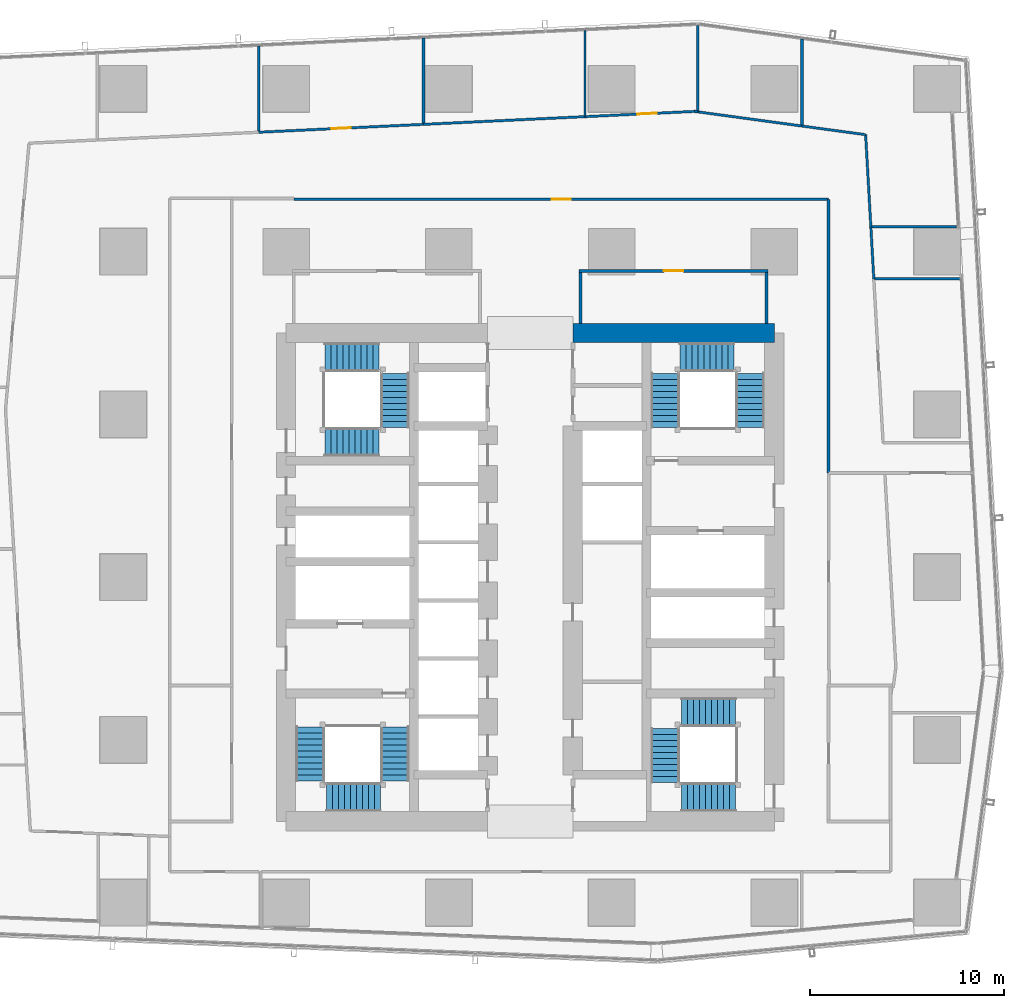
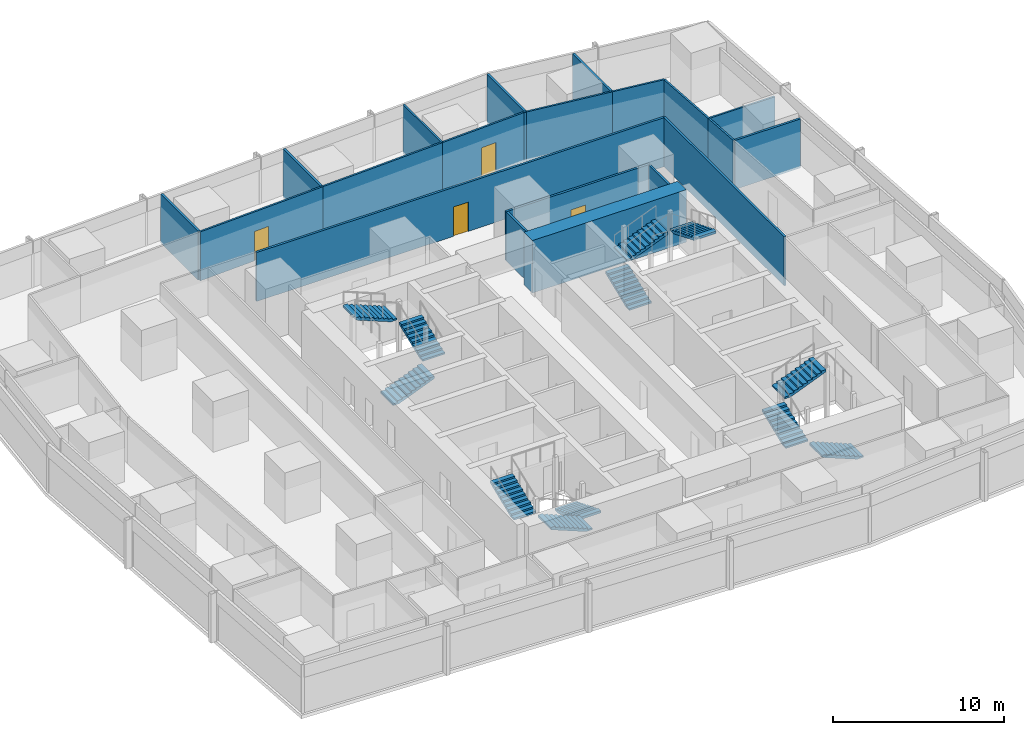
# One storey, part 27 of 37: 21 walls, 12 stair flights, 4 doors, 4 openings, 4 elements without a shape of their own.
"""IFC4 building model written with IfcOpenShell, lengths in metres."""

from ifc_helpers import new_model, si_unit, direction, frame, frame_2d, origin, place, context, subcontext, project, spatial, polyline, rectangle, outline, extrude, material, layer, layer_set, type_object, element, fill, aggregate, save


model = new_model("IFC4")

# Units and contexts
model_context = context("Model", 3, precision=1e-05, world=origin(), true_north=direction((0.0, 1.0)))
body_context = subcontext(model_context, "Body", "Model", "MODEL_VIEW")
ifc_project = project(units=[si_unit("LENGTHUNIT", "METRE"), si_unit("AREAUNIT", "SQUARE_METRE"), si_unit("VOLUMEUNIT", "CUBIC_METRE"), si_unit("PLANEANGLEUNIT", "RADIAN"), si_unit("MASSUNIT", "GRAM", prefix="KILO")], contexts=[model_context])

# Site, building, storey
site_placement = place(None, origin())
site = spatial("IfcSite", under=ifc_project, at=site_placement, CompositionType="ELEMENT")
building_placement = place(site_placement, origin())
building = spatial("IfcBuilding", under=site, at=building_placement, Name="Rekha Terrace Tower", CompositionType="ELEMENT")
storey_placement = place(building_placement, frame((0.0, 0.0, 232.699951171875)))
storey = spatial("IfcBuildingStorey", under=building, at=storey_placement, Name="L59", CompositionType="ELEMENT", Elevation=232.699951171875)

# Wall
ifc_material_1 = material(Name="Concrete M60", Category="concrete")
ifc_layer_1 = layer(ifc_material_1, 1.0)
ifc_layer_set_1 = layer_set([ifc_layer_1], Name="Concrete M60")
wall_type_1 = type_object("IfcWallType", Name="SW3 1000 core outer shear wall", PredefinedType="SHEAR", material=ifc_layer_set_1)
wall_1_placement = place(storey_placement, frame((40.0, 46.199951171875, 0.0), z_axis=(0.0, 0.0, 1.0), x_axis=(1.0, 0.0, 0.0)))
element("IfcWall", 1, at=wall_1_placement, inside=storey, type_object=wall_type_1, Name="Core wall N2 L59", PredefinedType="SHEAR", context=body_context, shape_type="SweptSolid", body=[
    extrude(rectangle(XDim=10.39990234375, YDim=1.0, at=frame_2d((5.199951171875, 0.0))), origin(), (0.0, 0.0, 1.0), 3.75),
])

# Wall, opening, door
ifc_material_2 = material(Name="Concrete block masonry, 1 hour", Category="masonry")
ifc_layer_2 = layer(ifc_material_2, 0.14990234375)
ifc_layer_set_2 = layer_set([ifc_layer_2], Name="Concrete block masonry, 1 hour")
wall_type_2 = type_object("IfcWallType", Name="WP2 150 tenancy partition", PredefinedType="PARTITIONING", material=ifc_layer_set_2)
wall_2_placement = place(storey_placement, frame((40.324951171875, 49.39990234375, 0.0), z_axis=(0.0, 0.0, 1.0), x_axis=(1.0, 0.0, 0.0)))
wall_2 = element("IfcWall", 2, at=wall_2_placement, inside=storey, type_object=wall_type_2, Name="Women's WC wall L59", PredefinedType="PARTITIONING", context=body_context, shape_type="SweptSolid", body=[
    extrude(rectangle(XDim=9.75, YDim=0.14990234375, at=frame_2d((4.875, 0.0))), origin(), (0.0, 0.0, 1.0), 3.5),
])
opening_1_placement = place(wall_2_placement, frame((4.375, 0.0, 0.0)))
opening_1 = element("IfcOpeningElement", 3, at=opening_1_placement, cuts=wall_2, Name="Opening D3", PredefinedType="OPENING", context=body_context, shape_type="SweptSolid", body=[
    extrude(rectangle(XDim=1.0, YDim=2.10009765625, at=frame_2d((0.5, 1.050048828125))), frame((0.0, 0.0849609375, 0.0), z_axis=(0.0, -1.0, 0.0), x_axis=(1.0, 0.0, 0.0)), (0.0, 0.0, 1.0), 0.169921875),
])
ifc_material_3 = material(Name="Laminated timber fire door", Category="wood")
door_type_1 = type_object("IfcDoorType", Name="D3 1000x2100 WC door", OperationType="SINGLE_SWING_LEFT", PredefinedType="DOOR", material=ifc_material_3)
door_1_placement = place(opening_1_placement, origin())
door_1 = element("IfcDoor", 4, at=door_1_placement, inside=storey, type_object=door_type_1, Name="Door women's wc L59", OperationType="SINGLE_SWING_LEFT", OverallHeight=2.10009765625, OverallWidth=1.0, PredefinedType="DOOR", context=body_context, shape_type="SweptSolid", body=[
    extrude(rectangle(XDim=1.0, YDim=2.10009765625, at=frame_2d((0.5, 1.050048828125))), frame((0.0, 0.02490234375, 0.0), z_axis=(0.0, -1.0, 0.0), x_axis=(1.0, 0.0, 0.0)), (0.0, 0.0, 1.0), 0.050048828125),
])
fill(opening_1, door_1)

# Walls
for number, where, z_axis, x_axis, name in (
    (5, (40.39990234375, 46.699951171875, 0.0), (0.0, 0.0, 1.0), (0.0, 1.0, 0.0), "Women's WC wall L59"),
    (6, (50.0, 46.699951171875, 0.0), (0.0, 0.0, 1.0), (0.0, 1.0, 0.0), "Women's WC wall L59"),
):
    element("IfcWall", number, at=place(storey_placement, frame(where, z_axis=z_axis, x_axis=x_axis)), inside=storey, type_object=wall_type_2, Name=name, PredefinedType="PARTITIONING", context=body_context, shape_type="SweptSolid", body=[
        extrude(rectangle(XDim=2.625, YDim=0.14990234375, at=frame_2d((1.3125, 0.0))), origin(), (0.0, 0.0, 1.0), 3.5),
    ])
for number, where, z_axis, x_axis, name in (
    (7, (23.79296875, 56.6220703125, 0.0), (0.0, 0.0, 1.0), (0.0, 1.0, 0.0), "Partition L59-O1"),
    (8, (32.300048828125, 57.028076171875, 0.0), (0.0, 0.0, 1.0), (0.0, 1.0, 0.0), "Partition L59-O1"),
):
    element("IfcWall", number, at=place(storey_placement, frame(where, z_axis=z_axis, x_axis=x_axis)), inside=storey, type_object=wall_type_2, Name=name, PredefinedType="PARTITIONING", context=body_context, shape_type="SweptSolid", body=[
        extrude(rectangle(XDim=4.392822265625, YDim=0.14990234375, at=frame_2d((2.1962890625, 0.0))), origin(), (0.0, 0.0, 1.0), 3.5),
    ])
wall_3_placement = place(storey_placement, frame((46.281005859375, 57.634033203125, 0.0), z_axis=(0.0, 0.0, 1.0), x_axis=(0.991045565988, -0.133524103202, 0.0)))
element("IfcWall", 9, at=wall_3_placement, inside=storey, type_object=wall_type_2, Name="Partition L59-O1", PredefinedType="PARTITIONING", context=body_context, shape_type="SweptSolid", body=[
    extrude(rectangle(XDim=0.16455078125, YDim=0.14990234375, at=frame_2d((0.082275390625, 0.0))), origin(), (0.0, 0.0, 1.0), 3.5),
])
wall_4_placement = place(storey_placement, frame((46.444091796875, 57.612060546875, 0.0), z_axis=(0.0, 0.0, 1.0), x_axis=(0.0, 1.0, 0.0)))
element("IfcWall", 10, at=wall_4_placement, inside=storey, type_object=wall_type_2, Name="Partition L59-O1", PredefinedType="PARTITIONING", context=body_context, shape_type="SweptSolid", body=[
    extrude(rectangle(XDim=4.454833984375, YDim=0.14990234375, at=frame_2d((2.2275390625, 0.0))), origin(), (0.0, 0.0, 1.0), 3.5),
])
wall_5_placement = place(storey_placement, frame((51.827880859375, 56.94189453125, 0.0), z_axis=(0.0, 0.0, 1.0), x_axis=(0.0, 1.0, 0.0)))
element("IfcWall", 11, at=wall_5_placement, inside=storey, type_object=wall_type_2, Name="Partition L59-O1", PredefinedType="PARTITIONING", context=body_context, shape_type="SweptSolid", body=[
    extrude(rectangle(XDim=4.42919921875, YDim=0.14990234375, at=frame_2d((2.214599609375, 0.0))), origin(), (0.0, 0.0, 1.0), 3.5),
])
wall_6_placement = place(storey_placement, frame((55.56591796875, 48.998046875, 0.0), z_axis=(0.0, 0.0, 1.0), x_axis=(1.0, 0.0, 0.0)))
element("IfcWall", 12, at=wall_6_placement, inside=storey, type_object=wall_type_2, Name="Partition L59-O1", PredefinedType="PARTITIONING", context=body_context, shape_type="SweptSolid", body=[
    extrude(rectangle(XDim=4.422119140625, YDim=0.14990234375, at=frame_2d((2.2109375, 0.0))), origin(), (0.0, 0.0, 1.0), 3.5),
])
wall_7_placement = place(storey_placement, frame((53.199951171875, 38.98095703125, 0.0), z_axis=(0.0, 0.0, 1.0), x_axis=(0.0, 1.0, 0.0)))
element("IfcWall", 13, at=wall_7_placement, inside=storey, type_object=wall_type_2, Name="Partition L59-O1", PredefinedType="PARTITIONING", context=body_context, shape_type="SweptSolid", body=[
    extrude(rectangle(XDim=14.119140625, YDim=0.14990234375, at=frame_2d((7.0595703125, 0.0))), origin(), (0.0, 0.0, 1.0), 3.5),
])

# Wall, opening, door
wall_8_placement = place(storey_placement, frame((53.199951171875, 53.10009765625, 0.0), z_axis=(0.0, 0.0, 1.0), x_axis=(-1.0, 0.0, 0.0)))
wall_8 = element("IfcWall", 14, at=wall_8_placement, inside=storey, type_object=wall_type_2, Name="Partition L59-O1", PredefinedType="PARTITIONING", context=body_context, shape_type="SweptSolid", body=[
    extrude(rectangle(XDim=27.599853515625, YDim=0.14990234375, at=frame_2d((13.7998046875, 0.0))), origin(), (0.0, 0.0, 1.0), 3.5),
])
opening_2_placement = place(wall_8_placement, frame((13.300048828125, 0.0, 0.0)))
opening_2 = element("IfcOpeningElement", 15, at=opening_2_placement, cuts=wall_8, Name="Opening D9", PredefinedType="OPENING", context=body_context, shape_type="SweptSolid", body=[
    extrude(rectangle(XDim=1.0, YDim=2.10009765625, at=frame_2d((0.5, 1.050048828125))), frame((0.0, 0.0849609375, 0.0), z_axis=(0.0, -1.0, 0.0), x_axis=(1.0, 0.0, 0.0)), (0.0, 0.0, 1.0), 0.169921875),
])
ifc_material_4 = material(Name="Timber fire door", Category="wood")
door_type_2 = type_object("IfcDoorType", Name="D9 1000x2100 office door", OperationType="SINGLE_SWING_LEFT", PredefinedType="DOOR", material=ifc_material_4)
door_2_placement = place(opening_2_placement, origin())
door_2 = element("IfcDoor", 16, at=door_2_placement, inside=storey, type_object=door_type_2, Name="Door open-plan office L59", OperationType="SINGLE_SWING_LEFT", OverallHeight=2.10009765625, OverallWidth=1.0, PredefinedType="DOOR", context=body_context, shape_type="SweptSolid", body=[
    extrude(rectangle(XDim=1.0, YDim=2.10009765625, at=frame_2d((0.5, 1.050048828125))), frame((0.0, 0.02490234375, 0.0), z_axis=(0.0, -1.0, 0.0), x_axis=(1.0, 0.0, 0.0)), (0.0, 0.0, 1.0), 0.050048828125),
])
fill(opening_2, door_2)

# Walls
ifc_material_5 = material(Name="Two layers of fire-rated gypsum board each side on steel studs, acoustic quilt, 1 hour", Category="steel")
ifc_layer_3 = layer(ifc_material_5, 0.125)
ifc_layer_set_3 = layer_set([ifc_layer_3], Name="Two layers of fire-rated gypsum board each side on steel studs, acoustic quilt, 1 hour")
wall_type_3 = type_object("IfcWallType", Name="WP3 125 office partition", PredefinedType="PARTITIONING", material=ifc_layer_set_3)
wall_9_placement = place(storey_placement, frame((55.44091796875, 51.693115234375, 0.0), z_axis=(0.0, 0.0, 1.0), x_axis=(1.0, 0.0, 0.0)))
element("IfcWall", 17, at=wall_9_placement, inside=storey, type_object=wall_type_3, Name="Partition L59-05", PredefinedType="PARTITIONING", context=body_context, shape_type="SweptSolid", body=[
    extrude(rectangle(XDim=4.364990234375, YDim=0.125, at=frame_2d((2.1826171875, 0.0))), origin(), (0.0, 0.0, 1.0), 3.5),
])
wall_10_placement = place(storey_placement, frame((55.531005859375, 48.99609375, 0.0), z_axis=(0.0, 0.0, 1.0), x_axis=(-0.056702825143, 0.998391100532, 0.0)))
element("IfcWall", 18, at=wall_10_placement, inside=storey, type_object=wall_type_3, Name="Partition L59-05", PredefinedType="PARTITIONING", context=body_context, shape_type="SweptSolid", body=[
    extrude(rectangle(XDim=2.665283203125, YDim=0.125, at=frame_2d((1.33251953125, 0.0))), origin(), (0.0, 0.0, 1.0), 3.5),
])

# Wall, opening, door
wall_11_placement = place(storey_placement, frame((46.281005859375, 57.634033203125, 0.0), z_axis=(0.0, 0.0, 1.0), x_axis=(-0.998861197712, -0.04771066658, 0.0)))
wall_11 = element("IfcWall", 19, at=wall_11_placement, inside=storey, type_object=wall_type_3, Name="Partition L59-06", PredefinedType="PARTITIONING", context=body_context, shape_type="SweptSolid", body=[
    extrude(rectangle(XDim=5.659423828125, YDim=0.125, at=frame_2d((2.82958984375, 0.0))), origin(), (0.0, 0.0, 1.0), 3.5),
])
opening_3_placement = place(wall_11_placement, frame((1.947998046875, 0.0, 0.0)))
opening_3 = element("IfcOpeningElement", 20, at=opening_3_placement, cuts=wall_11, Name="Opening D9", PredefinedType="OPENING", context=body_context, shape_type="SweptSolid", body=[
    extrude(rectangle(XDim=1.0, YDim=2.10009765625, at=frame_2d((0.5, 1.050048828125))), frame((0.0, 0.072509765625, 0.0), z_axis=(0.0, -1.0, 0.0), x_axis=(1.0, 0.0, 0.0)), (0.0, 0.0, 1.0), 0.14501953125),
])
door_3_placement = place(opening_3_placement, origin())
door_3 = element("IfcDoor", 21, at=door_3_placement, inside=storey, type_object=door_type_2, Name="Door office L59", OperationType="SINGLE_SWING_LEFT", OverallHeight=2.10009765625, OverallWidth=1.0, PredefinedType="DOOR", context=body_context, shape_type="SweptSolid", body=[
    extrude(rectangle(XDim=1.0, YDim=2.10009765625, at=frame_2d((0.5, 1.050048828125))), frame((0.0, 0.02490234375, 0.0), z_axis=(0.0, -1.0, 0.0), x_axis=(1.0, 0.0, 0.0)), (0.0, 0.0, 1.0), 0.050048828125),
])
fill(opening_3, door_3)

# Walls
wall_12_placement = place(storey_placement, frame((40.6279296875, 57.364013671875, 0.0), z_axis=(0.0, 0.0, 1.0), x_axis=(0.0, 1.0, 0.0)))
element("IfcWall", 22, at=wall_12_placement, inside=storey, type_object=wall_type_3, Name="Partition L59-06", PredefinedType="PARTITIONING", context=body_context, shape_type="SweptSolid", body=[
    extrude(rectangle(XDim=4.4560546875, YDim=0.125, at=frame_2d((2.22802734375, 0.0))), origin(), (0.0, 0.0, 1.0), 3.5),
])
wall_13_placement = place(storey_placement, frame((55.3798828125, 51.657958984375, 0.0), z_axis=(0.0, 0.0, 1.0), x_axis=(-0.056660197754, 0.998393520607, 0.0)))
element("IfcWall", 23, at=wall_13_placement, inside=storey, type_object=wall_type_3, Name="Partition L59-06", PredefinedType="PARTITIONING", context=body_context, shape_type="SweptSolid", body=[
    extrude(rectangle(XDim=4.78271484375, YDim=0.125, at=frame_2d((2.391357421875, 0.0))), origin(), (0.0, 0.0, 1.0), 3.5),
])
wall_14_placement = place(storey_placement, frame((55.10888671875, 56.43310546875, 0.0), z_axis=(0.0, 0.0, 1.0), x_axis=(-0.990883070751, 0.134724682591, 0.0)))
element("IfcWall", 24, at=wall_14_placement, inside=storey, type_object=wall_type_3, Name="Partition L59-06", PredefinedType="PARTITIONING", context=body_context, shape_type="SweptSolid", body=[
    extrude(rectangle(XDim=3.30908203125, YDim=0.125, at=frame_2d((1.654541015625, 0.0))), origin(), (0.0, 0.0, 1.0), 3.5),
])
wall_15_placement = place(storey_placement, frame((51.830078125, 56.87890625, 0.0), z_axis=(0.0, 0.0, 1.0), x_axis=(-0.990858848798, 0.134902712198, 0.0)))
element("IfcWall", 25, at=wall_15_placement, inside=storey, type_object=wall_type_3, Name="Partition L59-06", PredefinedType="PARTITIONING", context=body_context, shape_type="SweptSolid", body=[
    extrude(rectangle(XDim=5.4345703125, YDim=0.125, at=frame_2d((2.71728515625, 0.0))), origin(), (0.0, 0.0, 1.0), 3.5),
])
wall_16_placement = place(storey_placement, frame((40.626953125, 57.364013671875, 0.0), z_axis=(0.0, 0.0, 1.0), x_axis=(-0.998859439246, -0.047747467256, 0.0)))
element("IfcWall", 26, at=wall_16_placement, inside=storey, type_object=wall_type_3, Name="Partition L59-07", PredefinedType="PARTITIONING", context=body_context, shape_type="SweptSolid", body=[
    extrude(rectangle(XDim=8.33447265625, YDim=0.125, at=frame_2d((4.167236328125, 0.0))), origin(), (0.0, 0.0, 1.0), 3.5),
])

# Wall, opening, door
wall_17_placement = place(storey_placement, frame((32.302001953125, 56.966064453125, 0.0), z_axis=(0.0, 0.0, 1.0), x_axis=(-0.998858391998, -0.047769370269, 0.0)))
wall_17 = element("IfcWall", 27, at=wall_17_placement, inside=storey, type_object=wall_type_3, Name="Partition L59-07", PredefinedType="PARTITIONING", context=body_context, shape_type="SweptSolid", body=[
    extrude(rectangle(XDim=8.519775390625, YDim=0.125, at=frame_2d((4.259765625, 0.0))), origin(), (0.0, 0.0, 1.0), 3.5),
])
opening_4_placement = place(wall_17_placement, frame((3.760009765625, 0.0, 0.0)))
opening_4 = element("IfcOpeningElement", 28, at=opening_4_placement, cuts=wall_17, Name="Opening D9", PredefinedType="OPENING", context=body_context, shape_type="SweptSolid", body=[
    extrude(rectangle(XDim=1.0, YDim=2.10009765625, at=frame_2d((0.5, 1.050048828125))), frame((0.0, 0.072509765625, 0.0), z_axis=(0.0, -1.0, 0.0), x_axis=(1.0, 0.0, 0.0)), (0.0, 0.0, 1.0), 0.14501953125),
])
door_4_placement = place(opening_4_placement, origin())
door_4 = element("IfcDoor", 29, at=door_4_placement, inside=storey, type_object=door_type_2, Name="Door office L59", OperationType="SINGLE_SWING_LEFT", OverallHeight=2.10009765625, OverallWidth=1.0, PredefinedType="DOOR", context=body_context, shape_type="SweptSolid", body=[
    extrude(rectangle(XDim=1.0, YDim=2.10009765625, at=frame_2d((0.5, 1.050048828125))), frame((0.0, 0.02490234375, 0.0), z_axis=(0.0, -1.0, 0.0), x_axis=(1.0, 0.0, 0.0)), (0.0, 0.0, 1.0), 0.050048828125),
])
fill(opening_4, door_4)

# Stair, stair flights
ifc_material_6 = material(Name="Concrete M40", Category="concrete")
stair_type = type_object("IfcStairType", Name="ST30 stair, 30 risers of 125, going 310, 1500 wide flights, 3 flights", PredefinedType="HALF_TURN_STAIR", material=ifc_material_6)
stair_1_placement = place(storey_placement, origin())
stair_1 = element("IfcStair", 30, at=stair_1_placement, inside=storey, type_object=stair_type, Name="Stair ST1 L59 to L60", PredefinedType="HALF_TURN_STAIR")
stair_flight_type = type_object("IfcStairFlightType", Name="SF10 stair flight, 10 risers of 125, going 310, 1500 wide", PredefinedType="STRAIGHT", material=ifc_material_6)
stair_flight_1_placement = place(storey_placement, frame((30.824951171875, 25.875, 0.0), z_axis=(0.0, 0.0, 1.0), x_axis=(0.0, -1.0, 0.0)))
stair_flight_1 = element("IfcStairFlight", 31, at=stair_flight_1_placement, type_object=stair_flight_type, Name="ST1 flight 1", NumberOfRisers=10, NumberOfTreads=9, PredefinedType="STRAIGHT", RiserHeight=0.125, TreadLength=0.31, context=body_context, shape_type="SweptSolid", body=[
    extrude(outline(polyline([(0.0, 0.0), (0.0, 0.125), (0.31005859375, 0.125), (0.31005859375, 0.25), (0.6201171875, 0.25), (0.6201171875, 0.375), (0.929931640625, 0.375), (0.929931640625, 0.5), (1.239990234375, 0.5), (1.239990234375, 0.625), (1.550048828125, 0.625), (1.550048828125, 0.75), (1.860107421875, 0.75), (1.860107421875, 0.875), (2.169921875, 0.875), (2.169921875, 1.0), (2.47998046875, 1.0), (2.47998046875, 1.125), (2.7900390625, 1.125), (2.7900390625, 1.25), (2.7900390625, 0.96337890625), (0.40087890625, 0.0), (0.0, 0.0)])), frame((0.0, 0.75, 0.0), z_axis=(0.0, -1.0, 0.0), x_axis=(1.0, 0.0, 0.0)), (0.0, 0.0, 1.0), 1.5),
])
stair_flight_2_placement = place(storey_placement, frame((30.074951171875, 22.25, 1.25), z_axis=(0.0, 0.0, 1.0), x_axis=(-1.0, 0.0, 0.0)))
stair_flight_2 = element("IfcStairFlight", 32, at=stair_flight_2_placement, type_object=stair_flight_type, Name="ST1 flight 2", NumberOfRisers=10, NumberOfTreads=9, PredefinedType="STRAIGHT", RiserHeight=0.125, TreadLength=0.31, context=body_context, shape_type="SweptSolid", body=[
    extrude(outline(polyline([(0.0, 0.0), (0.0, 0.125), (0.31005859375, 0.125), (0.31005859375, 0.25), (0.6201171875, 0.25), (0.6201171875, 0.375), (0.929931640625, 0.375), (0.929931640625, 0.5), (1.239990234375, 0.5), (1.239990234375, 0.625), (1.550048828125, 0.625), (1.550048828125, 0.75), (1.860107421875, 0.75), (1.860107421875, 0.875), (2.169921875, 0.875), (2.169921875, 1.0), (2.47998046875, 1.0), (2.47998046875, 1.125), (2.7900390625, 1.125), (2.7900390625, 1.25), (2.7900390625, 0.96337890625), (0.40087890625, 0.0), (0.0, 0.0)])), frame((0.0, 0.75, 0.0), z_axis=(0.0, -1.0, 0.0), x_axis=(1.0, 0.0, 0.0)), (0.0, 0.0, 1.0), 1.5),
])
stair_flight_3_placement = place(storey_placement, frame((26.449951171875, 23.0849609375, 2.5), z_axis=(0.0, 0.0, 1.0), x_axis=(0.0, 1.0, 0.0)))
stair_flight_3 = element("IfcStairFlight", 33, at=stair_flight_3_placement, type_object=stair_flight_type, Name="ST1 flight 3", NumberOfRisers=10, NumberOfTreads=9, PredefinedType="STRAIGHT", RiserHeight=0.125, TreadLength=0.31, context=body_context, shape_type="SweptSolid", body=[
    extrude(outline(polyline([(0.0, 0.0), (0.0, 0.125), (0.31005859375, 0.125), (0.31005859375, 0.25), (0.6201171875, 0.25), (0.6201171875, 0.375), (0.929931640625, 0.375), (0.929931640625, 0.5), (1.239990234375, 0.5), (1.239990234375, 0.625), (1.550048828125, 0.625), (1.550048828125, 0.75), (1.860107421875, 0.75), (1.860107421875, 0.875), (2.169921875, 0.875), (2.169921875, 1.0), (2.47998046875, 1.0), (2.47998046875, 1.125), (2.7900390625, 1.125), (2.7900390625, 1.25), (2.7900390625, 0.96337890625), (0.40087890625, 0.0), (0.0, 0.0)])), frame((0.0, 0.75, 0.0), z_axis=(0.0, -1.0, 0.0), x_axis=(1.0, 0.0, 0.0)), (0.0, 0.0, 1.0), 1.5),
])
aggregate(stair_1, [stair_flight_1, stair_flight_2, stair_flight_3])

stair_2_placement = place(storey_placement, origin())
stair_2 = element("IfcStair", 34, at=stair_2_placement, inside=storey, type_object=stair_type, Name="Stair ST2 L59 to L60", PredefinedType="HALF_TURN_STAIR")
stair_flight_4_placement = place(storey_placement, frame((44.77490234375, 41.324951171875, 0.0), z_axis=(0.0, 0.0, 1.0), x_axis=(0.0, 1.0, 0.0)))
stair_flight_4 = element("IfcStairFlight", 35, at=stair_flight_4_placement, type_object=stair_flight_type, Name="ST2 flight 1", NumberOfRisers=10, NumberOfTreads=9, PredefinedType="STRAIGHT", RiserHeight=0.125, TreadLength=0.31, context=body_context, shape_type="SweptSolid", body=[
    extrude(outline(polyline([(0.0, 0.0), (0.0, 0.125), (0.31005859375, 0.125), (0.31005859375, 0.25), (0.6201171875, 0.25), (0.6201171875, 0.375), (0.929931640625, 0.375), (0.929931640625, 0.5), (1.239990234375, 0.5), (1.239990234375, 0.625), (1.550048828125, 0.625), (1.550048828125, 0.75), (1.860107421875, 0.75), (1.860107421875, 0.875), (2.169921875, 0.875), (2.169921875, 1.0), (2.47998046875, 1.0), (2.47998046875, 1.125), (2.7900390625, 1.125), (2.7900390625, 1.25), (2.7900390625, 0.96337890625), (0.40087890625, 0.0), (0.0, 0.0)])), frame((0.0, 0.75, 0.0), z_axis=(0.0, -1.0, 0.0), x_axis=(1.0, 0.0, 0.0)), (0.0, 0.0, 1.0), 1.5),
])
stair_flight_5_placement = place(storey_placement, frame((45.52490234375, 44.949951171875, 1.25), z_axis=(0.0, 0.0, 1.0), x_axis=(1.0, 0.0, 0.0)))
stair_flight_5 = element("IfcStairFlight", 36, at=stair_flight_5_placement, type_object=stair_flight_type, Name="ST2 flight 2", NumberOfRisers=10, NumberOfTreads=9, PredefinedType="STRAIGHT", RiserHeight=0.125, TreadLength=0.31, context=body_context, shape_type="SweptSolid", body=[
    extrude(outline(polyline([(0.0, 0.0), (0.0, 0.125), (0.31005859375, 0.125), (0.31005859375, 0.25), (0.6201171875, 0.25), (0.6201171875, 0.375), (0.929931640625, 0.375), (0.929931640625, 0.5), (1.239990234375, 0.5), (1.239990234375, 0.625), (1.550048828125, 0.625), (1.550048828125, 0.75), (1.860107421875, 0.75), (1.860107421875, 0.875), (2.169921875, 0.875), (2.169921875, 1.0), (2.47998046875, 1.0), (2.47998046875, 1.125), (2.7900390625, 1.125), (2.7900390625, 1.25), (2.7900390625, 0.96337890625), (0.40087890625, 0.0), (0.0, 0.0)])), frame((0.0, 0.75, 0.0), z_axis=(0.0, -1.0, 0.0), x_axis=(1.0, 0.0, 0.0)), (0.0, 0.0, 1.0), 1.5),
])
stair_flight_6_placement = place(storey_placement, frame((49.14990234375, 44.114990234375, 2.5), z_axis=(0.0, 0.0, 1.0), x_axis=(0.0, -1.0, 0.0)))
stair_flight_6 = element("IfcStairFlight", 37, at=stair_flight_6_placement, type_object=stair_flight_type, Name="ST2 flight 3", NumberOfRisers=10, NumberOfTreads=9, PredefinedType="STRAIGHT", RiserHeight=0.125, TreadLength=0.31, context=body_context, shape_type="SweptSolid", body=[
    extrude(outline(polyline([(0.0, 0.0), (0.0, 0.125), (0.31005859375, 0.125), (0.31005859375, 0.25), (0.6201171875, 0.25), (0.6201171875, 0.375), (0.929931640625, 0.375), (0.929931640625, 0.5), (1.239990234375, 0.5), (1.239990234375, 0.625), (1.550048828125, 0.625), (1.550048828125, 0.75), (1.860107421875, 0.75), (1.860107421875, 0.875), (2.169921875, 0.875), (2.169921875, 1.0), (2.47998046875, 1.0), (2.47998046875, 1.125), (2.7900390625, 1.125), (2.7900390625, 1.25), (2.7900390625, 0.96337890625), (0.40087890625, 0.0), (0.0, 0.0)])), frame((0.0, 0.75, 0.0), z_axis=(0.0, -1.0, 0.0), x_axis=(1.0, 0.0, 0.0)), (0.0, 0.0, 1.0), 1.5),
])
aggregate(stair_2, [stair_flight_4, stair_flight_5, stair_flight_6])

stair_3_placement = place(storey_placement, origin())
stair_3 = element("IfcStair", 38, at=stair_3_placement, inside=storey, type_object=stair_type, Name="Stair ST3 L59 to L60", PredefinedType="HALF_TURN_STAIR")
stair_flight_7_placement = place(storey_placement, frame((48.39990234375, 22.25, 0.0), z_axis=(0.0, 0.0, 1.0), x_axis=(-1.0, 0.0, 0.0)))
stair_flight_7 = element("IfcStairFlight", 39, at=stair_flight_7_placement, type_object=stair_flight_type, Name="ST3 flight 1", NumberOfRisers=10, NumberOfTreads=9, PredefinedType="STRAIGHT", RiserHeight=0.125, TreadLength=0.31, context=body_context, shape_type="SweptSolid", body=[
    extrude(outline(polyline([(0.0, 0.0), (0.0, 0.125), (0.31005859375, 0.125), (0.31005859375, 0.25), (0.6201171875, 0.25), (0.6201171875, 0.375), (0.929931640625, 0.375), (0.929931640625, 0.5), (1.239990234375, 0.5), (1.239990234375, 0.625), (1.550048828125, 0.625), (1.550048828125, 0.75), (1.860107421875, 0.75), (1.860107421875, 0.875), (2.169921875, 0.875), (2.169921875, 1.0), (2.47998046875, 1.0), (2.47998046875, 1.125), (2.7900390625, 1.125), (2.7900390625, 1.25), (2.7900390625, 0.96337890625), (0.40087890625, 0.0), (0.0, 0.0)])), frame((0.0, 0.75, 0.0), z_axis=(0.0, -1.0, 0.0), x_axis=(1.0, 0.0, 0.0)), (0.0, 0.0, 1.0), 1.5),
])
stair_flight_8_placement = place(storey_placement, frame((44.77490234375, 23.0, 1.25), z_axis=(0.0, 0.0, 1.0), x_axis=(0.0, 1.0, 0.0)))
stair_flight_8 = element("IfcStairFlight", 40, at=stair_flight_8_placement, type_object=stair_flight_type, Name="ST3 flight 2", NumberOfRisers=10, NumberOfTreads=9, PredefinedType="STRAIGHT", RiserHeight=0.125, TreadLength=0.31, context=body_context, shape_type="SweptSolid", body=[
    extrude(outline(polyline([(0.0, 0.0), (0.0, 0.125), (0.31005859375, 0.125), (0.31005859375, 0.25), (0.6201171875, 0.25), (0.6201171875, 0.375), (0.929931640625, 0.375), (0.929931640625, 0.5), (1.239990234375, 0.5), (1.239990234375, 0.625), (1.550048828125, 0.625), (1.550048828125, 0.75), (1.860107421875, 0.75), (1.860107421875, 0.875), (2.169921875, 0.875), (2.169921875, 1.0), (2.47998046875, 1.0), (2.47998046875, 1.125), (2.7900390625, 1.125), (2.7900390625, 1.25), (2.7900390625, 0.96337890625), (0.40087890625, 0.0), (0.0, 0.0)])), frame((0.0, 0.75, 0.0), z_axis=(0.0, -1.0, 0.0), x_axis=(1.0, 0.0, 0.0)), (0.0, 0.0, 1.0), 1.5),
])
stair_flight_9_placement = place(storey_placement, frame((45.610107421875, 26.625, 2.5), z_axis=(0.0, 0.0, 1.0), x_axis=(1.0, 0.0, 0.0)))
stair_flight_9 = element("IfcStairFlight", 41, at=stair_flight_9_placement, type_object=stair_flight_type, Name="ST3 flight 3", NumberOfRisers=10, NumberOfTreads=9, PredefinedType="STRAIGHT", RiserHeight=0.125, TreadLength=0.31, context=body_context, shape_type="SweptSolid", body=[
    extrude(outline(polyline([(0.0, 0.0), (0.0, 0.125), (0.31005859375, 0.125), (0.31005859375, 0.25), (0.6201171875, 0.25), (0.6201171875, 0.375), (0.929931640625, 0.375), (0.929931640625, 0.5), (1.239990234375, 0.5), (1.239990234375, 0.625), (1.550048828125, 0.625), (1.550048828125, 0.75), (1.860107421875, 0.75), (1.860107421875, 0.875), (2.169921875, 0.875), (2.169921875, 1.0), (2.47998046875, 1.0), (2.47998046875, 1.125), (2.7900390625, 1.125), (2.7900390625, 1.25), (2.7900390625, 0.96337890625), (0.40087890625, 0.0), (0.0, 0.0)])), frame((0.0, 0.75, 0.0), z_axis=(0.0, -1.0, 0.0), x_axis=(1.0, 0.0, 0.0)), (0.0, 0.0, 1.0), 1.5),
])
aggregate(stair_3, [stair_flight_7, stair_flight_8, stair_flight_9])

stair_4_placement = place(storey_placement, origin())
stair_4 = element("IfcStair", 42, at=stair_4_placement, inside=storey, type_object=stair_type, Name="Stair ST4 L59 to L60", PredefinedType="HALF_TURN_STAIR")
stair_flight_10_placement = place(storey_placement, frame((27.199951171875, 40.574951171875, 0.0), z_axis=(0.0, 0.0, 1.0), x_axis=(1.0, 0.0, 0.0)))
stair_flight_10 = element("IfcStairFlight", 43, at=stair_flight_10_placement, type_object=stair_flight_type, Name="ST4 flight 1", NumberOfRisers=10, NumberOfTreads=9, PredefinedType="STRAIGHT", RiserHeight=0.125, TreadLength=0.31, context=body_context, shape_type="SweptSolid", body=[
    extrude(outline(polyline([(0.0, 0.0), (0.0, 0.125), (0.31005859375, 0.125), (0.31005859375, 0.25), (0.6201171875, 0.25), (0.6201171875, 0.375), (0.929931640625, 0.375), (0.929931640625, 0.5), (1.239990234375, 0.5), (1.239990234375, 0.625), (1.550048828125, 0.625), (1.550048828125, 0.75), (1.860107421875, 0.75), (1.860107421875, 0.875), (2.169921875, 0.875), (2.169921875, 1.0), (2.47998046875, 1.0), (2.47998046875, 1.125), (2.7900390625, 1.125), (2.7900390625, 1.25), (2.7900390625, 0.96337890625), (0.40087890625, 0.0), (0.0, 0.0)])), frame((0.0, 0.75, 0.0), z_axis=(0.0, -1.0, 0.0), x_axis=(1.0, 0.0, 0.0)), (0.0, 0.0, 1.0), 1.5),
])
stair_flight_11_placement = place(storey_placement, frame((30.824951171875, 41.324951171875, 1.25), z_axis=(0.0, 0.0, 1.0), x_axis=(0.0, 1.0, 0.0)))
stair_flight_11 = element("IfcStairFlight", 44, at=stair_flight_11_placement, type_object=stair_flight_type, Name="ST4 flight 2", NumberOfRisers=10, NumberOfTreads=9, PredefinedType="STRAIGHT", RiserHeight=0.125, TreadLength=0.31, context=body_context, shape_type="SweptSolid", body=[
    extrude(outline(polyline([(0.0, 0.0), (0.0, 0.125), (0.31005859375, 0.125), (0.31005859375, 0.25), (0.6201171875, 0.25), (0.6201171875, 0.375), (0.929931640625, 0.375), (0.929931640625, 0.5), (1.239990234375, 0.5), (1.239990234375, 0.625), (1.550048828125, 0.625), (1.550048828125, 0.75), (1.860107421875, 0.75), (1.860107421875, 0.875), (2.169921875, 0.875), (2.169921875, 1.0), (2.47998046875, 1.0), (2.47998046875, 1.125), (2.7900390625, 1.125), (2.7900390625, 1.25), (2.7900390625, 0.96337890625), (0.40087890625, 0.0), (0.0, 0.0)])), frame((0.0, 0.75, 0.0), z_axis=(0.0, -1.0, 0.0), x_axis=(1.0, 0.0, 0.0)), (0.0, 0.0, 1.0), 1.5),
])
stair_flight_12_placement = place(storey_placement, frame((29.989990234375, 44.949951171875, 2.5), z_axis=(0.0, 0.0, 1.0), x_axis=(-1.0, 0.0, 0.0)))
stair_flight_12 = element("IfcStairFlight", 45, at=stair_flight_12_placement, type_object=stair_flight_type, Name="ST4 flight 3", NumberOfRisers=10, NumberOfTreads=9, PredefinedType="STRAIGHT", RiserHeight=0.125, TreadLength=0.31, context=body_context, shape_type="SweptSolid", body=[
    extrude(outline(polyline([(0.0, 0.0), (0.0, 0.125), (0.31005859375, 0.125), (0.31005859375, 0.25), (0.6201171875, 0.25), (0.6201171875, 0.375), (0.929931640625, 0.375), (0.929931640625, 0.5), (1.239990234375, 0.5), (1.239990234375, 0.625), (1.550048828125, 0.625), (1.550048828125, 0.75), (1.860107421875, 0.75), (1.860107421875, 0.875), (2.169921875, 0.875), (2.169921875, 1.0), (2.47998046875, 1.0), (2.47998046875, 1.125), (2.7900390625, 1.125), (2.7900390625, 1.25), (2.7900390625, 0.96337890625), (0.40087890625, 0.0), (0.0, 0.0)])), frame((0.0, 0.75, 0.0), z_axis=(0.0, -1.0, 0.0), x_axis=(1.0, 0.0, 0.0)), (0.0, 0.0, 1.0), 1.5),
])
aggregate(stair_4, [stair_flight_10, stair_flight_11, stair_flight_12])

save(model, "model.ifc")
